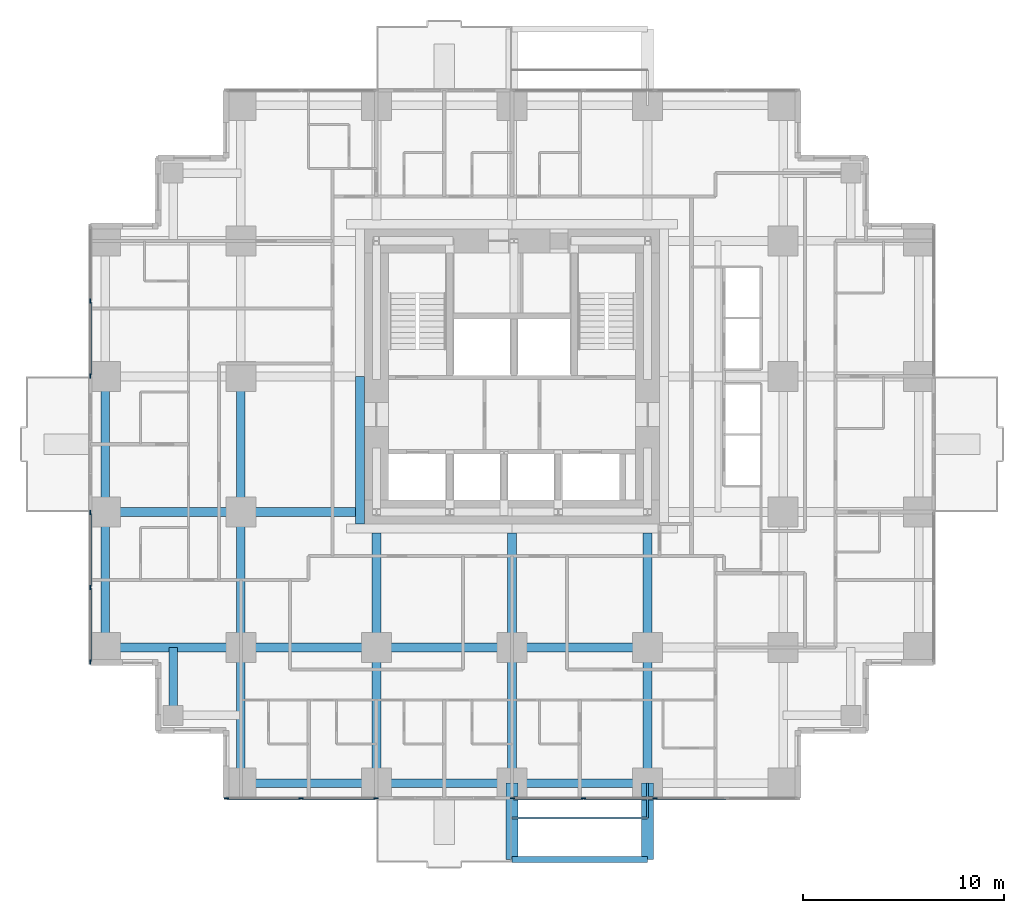
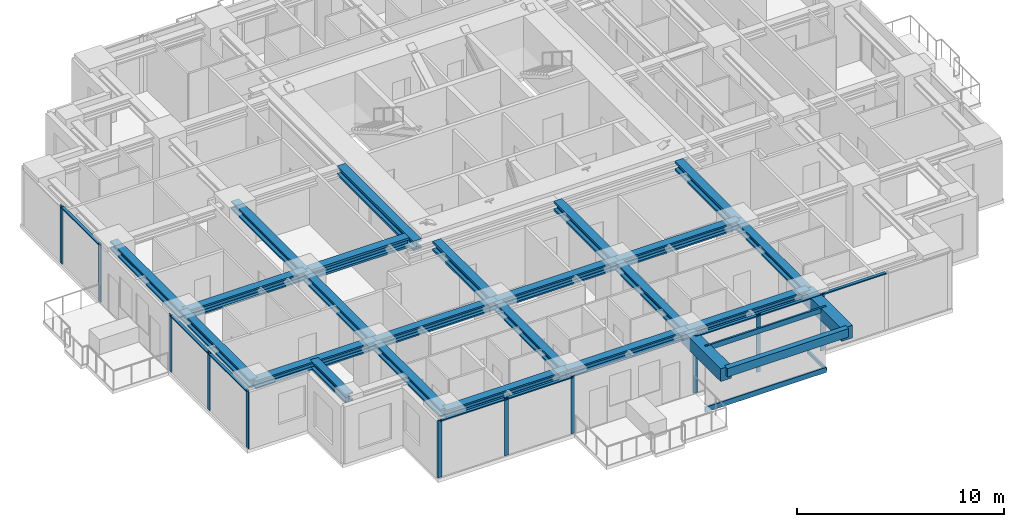
# One storey, part 2 of 13: 25 beams, 22 members, 4 elements without a shape of their own.
"""IFC4 building model written with IfcOpenShell, lengths in metres."""

import ifcopenshell
import ifcopenshell.guid

model = None  # the IFC model being written
_history = None  # IfcOwnerHistory: only IFC2X3 demands one
_inside = {}  # id of a spatial element -> (the spatial element, [elements in it])
_under = {}  # id of a project, library or spatial element -> (it, [spatial elements below it])
_declared = {}  # id of a project -> (the project, [libraries it declares])
_typed = {}  # id of a type object -> (the type object, [elements of that type])
_made_of = {}  # id of a material, layer set ... -> (it, [elements and type objects made of it])


def new_model(schema):
    """Start an empty IFC model of exactly this schema.

    Asked for "IFC4X3", IfcOpenShell would pick the latest addendum, in which some entities
    have other attributes; the version numbers below select the first issue.
    IFC2X3 requires an IfcOwnerHistory on every rooted entity: one is made here for all.
    """
    global model, _history
    if schema == "IFC4X3":
        model = ifcopenshell.file(schema_version=(4, 3, 0, 0))
    else:
        model = ifcopenshell.file(schema=schema)
    _inside.clear()
    _under.clear()
    _declared.clear()
    _typed.clear()
    _made_of.clear()
    _history = None
    if model.schema == "IFC2X3":
        org = make("IfcOrganization", Name="unknown")
        user = make(
            "IfcPersonAndOrganization",
            ThePerson=make("IfcPerson", FamilyName="unknown"),
            TheOrganization=org,
        )
        app = make(
            "IfcApplication",
            ApplicationDeveloper=org,
            Version="unknown",
            ApplicationFullName="unknown",
            ApplicationIdentifier="unknown",
        )
        _history = make(
            "IfcOwnerHistory",
            OwningUser=user,
            OwningApplication=app,
            ChangeAction="ADDED",
            CreationDate=0,
        )
    return model


def make(cls, **values):
    """One entity of the class cls with the attributes given. An attribute that is None is left unset."""
    return model.create_entity(
        cls, **{name: value for name, value in values.items() if value is not None}
    )


def rooted(cls, **values):
    """An entity with a GlobalId (a new one), such as an element, a storey or a relation."""
    return make(cls, GlobalId=ifcopenshell.guid.new(), OwnerHistory=_history, **values)


def si_unit(unit_type, name, prefix=None):
    """IfcSIUnit, for example si_unit("LENGTHUNIT", "METRE", prefix="MILLI")."""
    return make("IfcSIUnit", UnitType=unit_type, Prefix=prefix, Name=name)


def assignment(units):
    """IfcUnitAssignment: the units of a project."""
    return None if units is None else make("IfcUnitAssignment", Units=units)


def point(xyz):
    """IfcCartesianPoint."""
    return None if xyz is None else make("IfcCartesianPoint", Coordinates=xyz)


def direction(xyz):
    """IfcDirection."""
    return None if xyz is None else make("IfcDirection", DirectionRatios=xyz)


def frame(location, z_axis=None, x_axis=None):
    """IfcAxis2Placement3D, a coordinate frame: its origin and axes. An axis left out is left unset."""
    return make(
        "IfcAxis2Placement3D",
        Location=point(location),
        Axis=direction(z_axis),
        RefDirection=direction(x_axis),
    )


def frame_2d(location, x_axis=None):
    """IfcAxis2Placement2D, a coordinate frame in the plane: its origin and x axis."""
    return make(
        "IfcAxis2Placement2D", Location=point(location), RefDirection=direction(x_axis)
    )


def origin():
    """The frame at (0, 0, 0) with its axes left unset."""
    return frame((0.0, 0.0, 0.0))


def origin_2d():
    """The frame at (0, 0) in the plane with its x axis left unset."""
    return frame_2d((0.0, 0.0))


def place(relative_to, where):
    """IfcLocalPlacement: puts the frame where relative to a parent placement (None: the world)."""
    return make(
        "IfcLocalPlacement", PlacementRelTo=relative_to, RelativePlacement=where
    )


def context(
    kind, dimensions, precision=None, world=None, true_north=None, identifier=None
):
    """IfcGeometricRepresentationContext, for example the 3D "Model" context."""
    return make(
        "IfcGeometricRepresentationContext",
        ContextIdentifier=identifier,
        ContextType=kind,
        CoordinateSpaceDimension=dimensions,
        Precision=precision,
        WorldCoordinateSystem=world,
        TrueNorth=true_north,
    )


def subcontext(parent, identifier, kind, view, scale=None):
    """IfcGeometricRepresentationSubContext, for example "Body" below "Model"."""
    return make(
        "IfcGeometricRepresentationSubContext",
        ContextIdentifier=identifier,
        ContextType=kind,
        ParentContext=parent,
        TargetScale=scale,
        TargetView=view,
    )


def project(units=None, contexts=None):
    """IfcProject with its units and contexts."""
    return rooted(
        "IfcProject",
        Name="project",
        RepresentationContexts=contexts,
        UnitsInContext=assignment(units),
    )


def spatial(cls, under=None, at=None, **own):
    """A site, building, storey or space (cls), placed at a placement, below another one or the project."""
    s = rooted(cls, ObjectPlacement=at, **own)
    if under is not None:
        _under.setdefault(under.id(), (under, []))[1].append(s)
    return s


def profile(cls, at=None, kind="AREA", **sizes):
    """A parametric profile (cls). Its sizes go by their IFC names, for example OverallWidth=200.0."""
    return make(cls, ProfileType=kind, Position=at, **sizes)


def rectangle(**sizes):
    """IfcRectangleProfileDef."""
    return profile("IfcRectangleProfileDef", **sizes)


def hollow_rectangle(**sizes):
    """IfcRectangleHollowProfileDef."""
    return profile("IfcRectangleHollowProfileDef", **sizes)


def i_section(**sizes):
    """IfcIShapeProfileDef."""
    return profile("IfcIShapeProfileDef", **sizes)


def extrude(swept, where, along, depth):
    """IfcExtrudedAreaSolid: the profile swept, set in the frame where, extruded along a direction by depth."""
    return make(
        "IfcExtrudedAreaSolid",
        SweptArea=swept,
        Position=where,
        ExtrudedDirection=direction(along),
        Depth=depth,
    )


def shape(context_of_items, identifier, shape_type, items):
    """IfcShapeRepresentation: the items that make up one representation, for example the "Body"."""
    return make(
        "IfcShapeRepresentation",
        ContextOfItems=context_of_items,
        RepresentationIdentifier=identifier,
        RepresentationType=shape_type,
        Items=items,
    )


def material(Name=None, Category=None):
    """IfcMaterial."""
    return make("IfcMaterial", Name=Name, Category=Category)


def material_profile(
    of_material, cross_section, Name=None, Category=None, Priority=None
):
    """IfcMaterialProfile: a cross section and its material."""
    return make(
        "IfcMaterialProfile",
        Name=Name,
        Material=of_material,
        Profile=cross_section,
        Priority=Priority,
        Category=Category,
    )


def profile_set(profiles, Name=None, composite=None):
    """IfcMaterialProfileSet."""
    return make(
        "IfcMaterialProfileSet",
        Name=Name,
        MaterialProfiles=profiles,
        CompositeProfile=composite,
    )


def made_of(thing, what):
    """Note that an element or type object is made of a material, layer set ...; save() writes the relation."""
    if what is not None:
        _made_of.setdefault(what.id(), (what, []))[1].append(thing)
    return thing


def type_object(cls, material=None, **own):
    """A type object (cls), such as IfcWallType, which elements share."""
    return made_of(rooted(cls, **own), material)


def element(
    cls,
    number,
    at=None,
    inside=None,
    cuts=None,
    type_object=None,
    material=None,
    context=None,
    identifier="Body",
    shape_type=None,
    held_by="IfcProductDefinitionShape",
    body=None,
    shapes=None,
    **own,
):
    """One element of the class cls, such as IfcWall. Its Tag is "e" and its number.

    at: its placement. inside: the storey or other place that contains it. cuts: it is an
    opening in that element (IfcRelVoidsElement). A single representation is given by context,
    identifier, shape_type and body (its items); several are given by shapes. held_by: the class
    of the entity that holds the representations. save() writes the other relations.
    """
    e = rooted(cls, Tag="e%d" % number, ObjectPlacement=at, **own)
    if body is not None:
        shapes = [shape(context, identifier, shape_type, body)]
    if shapes is not None:
        e.Representation = make(held_by, Representations=shapes)
    if inside is not None:
        _inside.setdefault(inside.id(), (inside, []))[1].append(e)
    if cuts is not None:
        rooted(
            "IfcRelVoidsElement", RelatingBuildingElement=cuts, RelatedOpeningElement=e
        )
    if type_object is not None:
        _typed.setdefault(type_object.id(), (type_object, []))[1].append(e)
    return made_of(e, material)


def aggregate(whole, parts):
    """IfcRelAggregates: a whole, such as a stair, and the parts it consists of."""
    return rooted("IfcRelAggregates", RelatingObject=whole, RelatedObjects=parts)


def save(model, path):
    """Write the relations noted so far, then the file.

    IfcRelAggregates (storeys below a building ...), IfcRelContainedInSpatialStructure (elements
    in a storey), IfcRelDefinesByType, IfcRelAssociatesMaterial and IfcRelDeclares: one each for
    every whole, place, type object, material and project.
    """
    for whole, parts in _under.values():
        aggregate(whole, parts)
    for where, things in _inside.values():
        rooted(
            "IfcRelContainedInSpatialStructure",
            RelatedElements=things,
            RelatingStructure=where,
        )
    for kind, things in _typed.values():
        rooted("IfcRelDefinesByType", RelatedObjects=things, RelatingType=kind)
    for what, things in _made_of.values():
        rooted("IfcRelAssociatesMaterial", RelatedObjects=things, RelatingMaterial=what)
    for by, libraries in _declared.values():
        rooted("IfcRelDeclares", RelatingContext=by, RelatedDefinitions=libraries)
    model.write(path)


model = new_model("IFC4")

# Units and contexts
model_context = context("Model", 3, precision=1e-05, world=origin(), true_north=direction((0.0, 1.0)))
body_context = subcontext(model_context, "Body", "Model", "MODEL_VIEW")
ifc_project = project(units=[si_unit("LENGTHUNIT", "METRE"), si_unit("AREAUNIT", "SQUARE_METRE"), si_unit("VOLUMEUNIT", "CUBIC_METRE"), si_unit("PLANEANGLEUNIT", "RADIAN"), si_unit("MASSUNIT", "GRAM", prefix="KILO")], contexts=[model_context])

# Site, building, storey
site_placement = place(None, origin())
site = spatial("IfcSite", under=ifc_project, at=site_placement, CompositionType="ELEMENT")
building_placement = place(site_placement, origin())
building = spatial("IfcBuilding", under=site, at=building_placement, Name="Nyansa Garden Tower", CompositionType="ELEMENT")
storey_placement = place(building_placement, frame((0.0, 0.0, 116.10009765625)))
storey = spatial("IfcBuildingStorey", under=building, at=storey_placement, Name="L31", CompositionType="ELEMENT", Elevation=116.10009765625)

# Beams
ifc_material_1 = material(Name="Concrete C70/85", Category="concrete")
ifc_material_profile_1 = material_profile(ifc_material_1, rectangle(XDim=0.60009765625, YDim=0.75, at=origin_2d()), Name="RC 600x750")
ifc_profile_set_1 = profile_set([ifc_material_profile_1], Name="Concrete C70/85")
beam_type_1 = type_object("IfcBeamType", Name="Balcony cantilever beam CB1 RC 600x750", PredefinedType="BEAM", material=ifc_profile_set_1)
for number, where, z_axis, x_axis, name in (
    (1, (20.25, 0.0, 2.98486328125), (0.0, -1.0, 0.0), (1.0, 0.0, 0.0), "Balcony cantilever beam L32"),
    (2, (27.0, 0.0, 2.98486328125), (0.0, -1.0, 0.0), (1.0, 0.0, 0.0), "Balcony cantilever beam L32"),
):
    element("IfcBeam", number, at=place(storey_placement, frame(where, z_axis=z_axis, x_axis=x_axis)), inside=storey, type_object=beam_type_1, Name=name, PredefinedType="BEAM", context=body_context, shape_type="SweptSolid", body=[
        extrude(rectangle(XDim=0.60009765625, YDim=0.75, at=origin_2d()), origin(), (0.0, 0.0, 1.0), 3.800048828125),
    ])
ifc_material_2 = material(Name="Concrete C70/85", Category="concrete")
ifc_material_profile_2 = material_profile(ifc_material_2, rectangle(XDim=0.300048828125, YDim=0.5, at=origin_2d()), Name="RC 300x500")
ifc_profile_set_2 = profile_set([ifc_material_profile_2], Name="Concrete C70/85")
beam_type_2 = type_object("IfcBeamType", Name="Balcony edge beam BE1 RC 300x500", PredefinedType="BEAM", material=ifc_profile_set_2)
beam_1_placement = place(storey_placement, frame((20.25, -3.800048828125, 3.10986328125), z_axis=(1.0, 0.0, 0.0), x_axis=(0.0, 1.0, 0.0)))
element("IfcBeam", 3, at=beam_1_placement, inside=storey, type_object=beam_type_2, Name="Balcony edge beam L32", PredefinedType="BEAM", context=body_context, shape_type="SweptSolid", body=[
    extrude(rectangle(XDim=0.300048828125, YDim=0.5, at=origin_2d()), origin(), (0.0, 0.0, 1.0), 6.75),
])

# Curtain wall, members
ifc_material_3 = material(Name="Black anodised aluminium, dark tinted double glazing", Category="aluminium")
curtain_wall_type = type_object("IfcCurtainWallType", Name="Inner skin curtain wall ISW-B", PredefinedType="USERDEFINED", material=ifc_material_3)
curtain_wall_1_placement = place(storey_placement, origin())
curtain_wall_1 = element("IfcCurtainWall", 4, at=curtain_wall_1_placement, inside=storey, type_object=curtain_wall_type, Name="Inner skin curtain wall L31 W", ObjectType="UNITISED CURTAIN WALL", PredefinedType="USERDEFINED")
ifc_material_4 = material(Name="Black anodised aluminium", Category="aluminium")
ifc_material_profile_3 = material_profile(ifc_material_4, rectangle(XDim=0.06494140625, YDim=0.22509765625, at=origin_2d()), Name="Mullion 225x65")
ifc_profile_set_3 = profile_set([ifc_material_profile_3], Name="Black anodised aluminium")
member_type_1 = type_object("IfcMemberType", Name="Mullion ISW-B 225x65", PredefinedType="MULLION", material=ifc_profile_set_3)
member_1_placement = place(storey_placement, frame((-0.75, 13.467529296875, 0.0), z_axis=(0.0, 0.0, 1.0), x_axis=(1.0, 0.0, 0.0)))
member_1 = element("IfcMember", 5, at=member_1_placement, type_object=member_type_1, Name="ISW-B mullion 1", PredefinedType="MULLION", context=body_context, shape_type="SweptSolid", body=[
    extrude(rectangle(XDim=0.06494140625, YDim=0.22509765625, at=origin_2d()), origin(), (0.0, 0.0, 1.0), 3.375),
])
member_2_placement = place(storey_placement, frame((-0.75, 9.75, 0.0), z_axis=(0.0, 0.0, 1.0), x_axis=(1.0, 0.0, 0.0)))
member_2 = element("IfcMember", 6, at=member_2_placement, type_object=member_type_1, Name="ISW-B mullion 2", PredefinedType="MULLION", context=body_context, shape_type="SweptSolid", body=[
    extrude(rectangle(XDim=0.06494140625, YDim=0.22509765625, at=origin_2d()), origin(), (0.0, 0.0, 1.0), 3.375),
])
member_3_placement = place(storey_placement, frame((-0.75, 6.032470703125, 0.0), z_axis=(0.0, 0.0, 1.0), x_axis=(1.0, 0.0, 0.0)))
member_3 = element("IfcMember", 7, at=member_3_placement, type_object=member_type_1, Name="ISW-B mullion 3", PredefinedType="MULLION", context=body_context, shape_type="SweptSolid", body=[
    extrude(rectangle(XDim=0.06494140625, YDim=0.22509765625, at=origin_2d()), origin(), (0.0, 0.0, 1.0), 3.375),
])

curtain_wall_2_placement = place(storey_placement, origin())
curtain_wall_2 = element("IfcCurtainWall", 8, at=curtain_wall_2_placement, inside=storey, type_object=curtain_wall_type, Name="Inner skin curtain wall L31 W", ObjectType="UNITISED CURTAIN WALL", PredefinedType="USERDEFINED")
member_4_placement = place(storey_placement, frame((-0.75, 24.0, 0.0), z_axis=(0.0, 0.0, 1.0), x_axis=(1.0, 0.0, 0.0)))
member_4 = element("IfcMember", 9, at=member_4_placement, type_object=member_type_1, Name="ISW-B mullion 2", PredefinedType="MULLION", context=body_context, shape_type="SweptSolid", body=[
    extrude(rectangle(XDim=0.06494140625, YDim=0.22509765625, at=origin_2d()), origin(), (0.0, 0.0, 1.0), 3.375),
])
member_5_placement = place(storey_placement, frame((-0.75, 20.282470703125, 0.0), z_axis=(0.0, 0.0, 1.0), x_axis=(1.0, 0.0, 0.0)))
member_5 = element("IfcMember", 10, at=member_5_placement, type_object=member_type_1, Name="ISW-B mullion 3", PredefinedType="MULLION", context=body_context, shape_type="SweptSolid", body=[
    extrude(rectangle(XDim=0.06494140625, YDim=0.22509765625, at=origin_2d()), origin(), (0.0, 0.0, 1.0), 3.375),
])

curtain_wall_3_placement = place(storey_placement, origin())
curtain_wall_3 = element("IfcCurtainWall", 11, at=curtain_wall_3_placement, inside=storey, type_object=curtain_wall_type, Name="Inner skin curtain wall L31 S", ObjectType="UNITISED CURTAIN WALL", PredefinedType="USERDEFINED")
member_6_placement = place(storey_placement, frame((6.032470703125, -0.75, 0.0), z_axis=(0.0, 0.0, 1.0), x_axis=(0.0, 1.0, 0.0)))
member_6 = element("IfcMember", 12, at=member_6_placement, type_object=member_type_1, Name="ISW-B mullion 1", PredefinedType="MULLION", context=body_context, shape_type="SweptSolid", body=[
    extrude(rectangle(XDim=0.06494140625, YDim=0.22509765625, at=origin_2d()), origin(), (0.0, 0.0, 1.0), 3.375),
])
member_7_placement = place(storey_placement, frame((9.75, -0.75, 0.0), z_axis=(0.0, 0.0, 1.0), x_axis=(0.0, 1.0, 0.0)))
member_7 = element("IfcMember", 13, at=member_7_placement, type_object=member_type_1, Name="ISW-B mullion 2", PredefinedType="MULLION", context=body_context, shape_type="SweptSolid", body=[
    extrude(rectangle(XDim=0.06494140625, YDim=0.22509765625, at=origin_2d()), origin(), (0.0, 0.0, 1.0), 3.375),
])
member_8_placement = place(storey_placement, frame((13.467529296875, -0.75, 0.0), z_axis=(0.0, 0.0, 1.0), x_axis=(0.0, 1.0, 0.0)))
member_8 = element("IfcMember", 14, at=member_8_placement, type_object=member_type_1, Name="ISW-B mullion 3", PredefinedType="MULLION", context=body_context, shape_type="SweptSolid", body=[
    extrude(rectangle(XDim=0.06494140625, YDim=0.22509765625, at=origin_2d()), origin(), (0.0, 0.0, 1.0), 3.375),
])

curtain_wall_4_placement = place(storey_placement, origin())
curtain_wall_4 = element("IfcCurtainWall", 15, at=curtain_wall_4_placement, inside=storey, type_object=curtain_wall_type, Name="Inner skin curtain wall L31 S", ObjectType="UNITISED CURTAIN WALL", PredefinedType="USERDEFINED")
member_9_placement = place(storey_placement, frame((20.282470703125, -0.75, 0.0), z_axis=(0.0, 0.0, 1.0), x_axis=(0.0, 1.0, 0.0)))
member_9 = element("IfcMember", 16, at=member_9_placement, type_object=member_type_1, Name="ISW-B mullion 1", PredefinedType="MULLION", context=body_context, shape_type="SweptSolid", body=[
    extrude(rectangle(XDim=0.06494140625, YDim=0.22509765625, at=origin_2d()), origin(), (0.0, 0.0, 1.0), 3.375),
])
member_10_placement = place(storey_placement, frame((23.8125, -0.75, 0.0), z_axis=(0.0, 0.0, 1.0), x_axis=(0.0, 1.0, 0.0)))
member_10 = element("IfcMember", 17, at=member_10_placement, type_object=member_type_1, Name="ISW-B mullion 2", PredefinedType="MULLION", context=body_context, shape_type="SweptSolid", body=[
    extrude(rectangle(XDim=0.06494140625, YDim=0.22509765625, at=origin_2d()), origin(), (0.0, 0.0, 1.0), 3.375),
])
member_11_placement = place(storey_placement, frame((27.375, -0.75, 0.0), z_axis=(0.0, 0.0, 1.0), x_axis=(0.0, 1.0, 0.0)))
member_11 = element("IfcMember", 18, at=member_11_placement, type_object=member_type_1, Name="ISW-B mullion 3", PredefinedType="MULLION", context=body_context, shape_type="SweptSolid", body=[
    extrude(rectangle(XDim=0.06494140625, YDim=0.22509765625, at=origin_2d()), origin(), (0.0, 0.0, 1.0), 3.375),
])

# Members
ifc_material_5 = material(Name="Steel S355, black powder coated", Category="steel")
ifc_material_profile_4 = material_profile(ifc_material_5, hollow_rectangle(XDim=0.10009765625, YDim=0.199951171875, WallThickness=0.008056640625, at=origin_2d()), Name="RHS 200x100x8")
ifc_profile_set_4 = profile_set([ifc_material_profile_4], Name="Steel S355, black powder coated")
member_type_2 = type_object("IfcMemberType", Name="Outer skin bracket arm RHS 200x100x8", PredefinedType="USERDEFINED", material=ifc_profile_set_4)
member_12_placement = place(storey_placement, frame((27.0, 0.0, -0.375), z_axis=(0.0, -1.0, 0.0), x_axis=(1.0, 0.0, 0.0)))
element("IfcMember", 19, at=member_12_placement, inside=storey, type_object=member_type_2, Name="Outer skin bracket arm", ObjectType="OUTER SKIN BRACKET", PredefinedType="USERDEFINED", context=body_context, shape_type="SweptSolid", body=[
    extrude(hollow_rectangle(XDim=0.10009765625, YDim=0.199951171875, WallThickness=0.008056640625, at=origin_2d()), origin(), (0.0, 0.0, 1.0), 1.75),
])
ifc_material_6 = material(Name="Steel S355, black powder coated", Category="steel")
ifc_material_profile_5 = material_profile(ifc_material_6, hollow_rectangle(XDim=0.10009765625, YDim=0.300048828125, WallThickness=0.010009765625, at=origin_2d()), Name="RHS 300x100x10")
ifc_profile_set_5 = profile_set([ifc_material_profile_5], Name="Steel S355, black powder coated")
member_type_3 = type_object("IfcMemberType", Name="Outer skin rail RHS 300x100x10", PredefinedType="USERDEFINED", material=ifc_profile_set_5)
for number, where, z_axis, x_axis, name in (
    (20, (20.25, -1.75, -0.375), (1.0, 0.0, 0.0), (0.0, 1.0, 0.0), "Outer skin rail L31"),
    (21, (20.25, -1.75, 3.224853515625), (1.0, 0.0, 0.0), (0.0, 1.0, 0.0), "Outer skin rail L31 head"),
):
    element("IfcMember", number, at=place(storey_placement, frame(where, z_axis=z_axis, x_axis=x_axis)), inside=storey, type_object=member_type_3, Name=name, ObjectType="OUTER SKIN RAIL", PredefinedType="USERDEFINED", context=body_context, shape_type="SweptSolid", body=[
        extrude(hollow_rectangle(XDim=0.10009765625, YDim=0.300048828125, WallThickness=0.010009765625, at=origin_2d()), origin(), (0.0, 0.0, 1.0), 6.75),
    ])

# Beams
ifc_material_7 = material(Name="Steel S355", Category="steel")
ifc_material_profile_6 = material_profile(ifc_material_7, i_section(OverallWidth=0.431884765625, OverallDepth=0.498046875, WebThickness=0.0556640625, FlangeThickness=0.0888671875, FilletRadius=0.014892578125, at=origin_2d()), Name="HD 400x744")
ifc_profile_set_6 = profile_set([ifc_material_profile_6], Name="Steel S355")
beam_type_3 = type_object("IfcBeamType", Name="Steel beam SBB1-744 HD 400x744", PredefinedType="BEAM", material=ifc_profile_set_6)
for number, where, z_axis, x_axis, name in (
    (22, (0.0, 6.75, 3.1259765625), (1.0, 0.0, 0.0), (0.0, 1.0, 0.0), "Steel beam 2/E-3/E L32"),
    (23, (0.0, 13.5, 3.1259765625), (1.0, 0.0, 0.0), (0.0, 1.0, 0.0), "Steel beam 2/F-3/F L32"),
    (24, (6.75, 0.0, 3.1259765625), (0.0, 1.0, 0.0), (-1.0, 0.0, 0.0), "Steel beam 3/D-3/E L32"),
    (25, (6.75, 6.75, 3.1259765625), (0.0, 1.0, 0.0), (-1.0, 0.0, 0.0), "Steel beam 3/E-3/F L32"),
    (26, (6.75, 6.75, 3.1259765625), (1.0, 0.0, 0.0), (0.0, 1.0, 0.0), "Steel beam 3/E-4/E L32"),
    (27, (6.75, 13.5, 3.1259765625), (0.0, 1.0, 0.0), (-1.0, 0.0, 0.0), "Steel beam 3/F-3/G L32"),
    (28, (13.5, 0.0, 3.1259765625), (0.0, 1.0, 0.0), (-1.0, 0.0, 0.0), "Steel beam 4/D-4/E L32"),
    (29, (13.5, 6.75, 3.1259765625), (1.0, 0.0, 0.0), (0.0, 1.0, 0.0), "Steel beam 4/E-5/E L32"),
    (30, (20.25, 0.0, 3.1259765625), (0.0, 1.0, 0.0), (-1.0, 0.0, 0.0), "Steel beam 5/D-5/E L32"),
    (31, (20.25, 6.75, 3.1259765625), (1.0, 0.0, 0.0), (0.0, 1.0, 0.0), "Steel beam 5/E-6/E L32"),
    (32, (27.0, 0.0, 3.1259765625), (0.0, 1.0, 0.0), (-1.0, 0.0, 0.0), "Steel beam 6/D-6/E L32"),
):
    element("IfcBeam", number, at=place(storey_placement, frame(where, z_axis=z_axis, x_axis=x_axis)), inside=storey, type_object=beam_type_3, Name=name, PredefinedType="BEAM", context=body_context, shape_type="SweptSolid", body=[
        extrude(i_section(OverallWidth=0.431884765625, OverallDepth=0.498046875, WebThickness=0.0556640625, FlangeThickness=0.0888671875, FilletRadius=0.014892578125, at=origin_2d()), origin(), (0.0, 0.0, 1.0), 6.75),
    ])
ifc_material_8 = material(Name="Steel S355", Category="steel")
ifc_material_profile_7 = material_profile(ifc_material_8, i_section(OverallWidth=0.4541015625, OverallDepth=0.569091796875, WebThickness=0.077880859375, FlangeThickness=0.125, FilletRadius=0.014892578125, at=origin_2d()), Name="HD 400x1086")
ifc_profile_set_7 = profile_set([ifc_material_profile_7], Name="Steel S355")
beam_type_4 = type_object("IfcBeamType", Name="Steel beam SCL-1086 HD 400x1086", PredefinedType="BEAM", material=ifc_profile_set_7)
for number, where, z_axis, x_axis, name in (
    (33, (6.75, 13.5, 3.09033203125), (1.0, 0.0, 0.0), (0.0, 1.0, 0.0), "Steel beam 3/F-12.450/F L32"),
    (34, (13.5, 6.75, 3.09033203125), (0.0, 1.0, 0.0), (-1.0, 0.0, 0.0), "Steel beam 4/E-4/12.450 L32"),
    (35, (20.25, 6.75, 3.09033203125), (0.0, 1.0, 0.0), (-1.0, 0.0, 0.0), "Steel beam 5/E-5/12.450 L32"),
    (36, (27.0, 6.75, 3.09033203125), (0.0, 1.0, 0.0), (-1.0, 0.0, 0.0), "Steel beam 6/E-6/12.450 L32"),
):
    element("IfcBeam", number, at=place(storey_placement, frame(where, z_axis=z_axis, x_axis=x_axis)), inside=storey, type_object=beam_type_4, Name=name, PredefinedType="BEAM", context=body_context, shape_type="SweptSolid", body=[
        extrude(i_section(OverallWidth=0.4541015625, OverallDepth=0.569091796875, WebThickness=0.077880859375, FlangeThickness=0.125, FilletRadius=0.014892578125, at=origin_2d()), origin(), (0.0, 0.0, 1.0), 5.699951171875),
    ])
beam_2_placement = place(storey_placement, frame((12.673095703125, 20.25, 3.09033203125), z_axis=(0.0, -1.0, 0.0), x_axis=(1.0, 0.0, 0.0)))
element("IfcBeam", 37, at=beam_2_placement, inside=storey, type_object=beam_type_4, Name="Steel core ledger beam W.2 L32", PredefinedType="BEAM", context=body_context, shape_type="SweptSolid", body=[
    extrude(i_section(OverallWidth=0.4541015625, OverallDepth=0.569091796875, WebThickness=0.077880859375, FlangeThickness=0.125, FilletRadius=0.014892578125, at=origin_2d()), origin(), (0.0, 0.0, 1.0), 7.35009765625),
])
ifc_material_9 = material(Name="Steel S355", Category="steel")
ifc_material_profile_8 = material_profile(ifc_material_9, i_section(OverallWidth=0.431884765625, OverallDepth=0.498046875, WebThickness=0.0556640625, FlangeThickness=0.0888671875, FilletRadius=0.014892578125, at=origin_2d()), Name="HD 400x744")
ifc_profile_set_8 = profile_set([ifc_material_profile_8], Name="Steel S355")
beam_type_5 = type_object("IfcBeamType", Name="Steel beam SEBB-744 HD 400x744", PredefinedType="BEAM", material=ifc_profile_set_8)
for number, where, z_axis, x_axis, name in (
    (38, (0.0, 6.75, 3.1259765625), (0.0, 1.0, 0.0), (-1.0, 0.0, 0.0), "Steel edge beam 2/E-2/F L32"),
    (39, (0.0, 13.5, 3.1259765625), (0.0, 1.0, 0.0), (-1.0, 0.0, 0.0), "Steel edge beam 2/F-2/G L32"),
    (40, (6.75, 0.0, 3.1259765625), (1.0, 0.0, 0.0), (0.0, 1.0, 0.0), "Steel edge beam 3/D-4/D L32"),
    (41, (13.5, 0.0, 3.1259765625), (1.0, 0.0, 0.0), (0.0, 1.0, 0.0), "Steel edge beam 4/D-5/D L32"),
    (42, (20.25, 0.0, 3.1259765625), (1.0, 0.0, 0.0), (0.0, 1.0, 0.0), "Steel edge beam 5/D-6/D L32"),
):
    element("IfcBeam", number, at=place(storey_placement, frame(where, z_axis=z_axis, x_axis=x_axis)), inside=storey, type_object=beam_type_5, Name=name, PredefinedType="BEAM", context=body_context, shape_type="SweptSolid", body=[
        extrude(i_section(OverallWidth=0.431884765625, OverallDepth=0.498046875, WebThickness=0.0556640625, FlangeThickness=0.0888671875, FilletRadius=0.014892578125, at=origin_2d()), origin(), (0.0, 0.0, 1.0), 6.75),
    ])
ifc_material_10 = material(Name="Steel S355", Category="steel")
ifc_material_profile_9 = material_profile(ifc_material_10, i_section(OverallWidth=0.431884765625, OverallDepth=0.498046875, WebThickness=0.0556640625, FlangeThickness=0.0888671875, FilletRadius=0.014892578125, at=origin_2d()), Name="HD 400x744")
ifc_profile_set_9 = profile_set([ifc_material_profile_9], Name="Steel S355")
beam_type_6 = type_object("IfcBeamType", Name="Steel beam SSB1-744 HD 400x744", PredefinedType="BEAM", material=ifc_profile_set_9)
beam_3_placement = place(storey_placement, frame((3.375, 3.375, 3.1259765625), z_axis=(0.0, 1.0, 0.0), x_axis=(-1.0, 0.0, 0.0)))
element("IfcBeam", 43, at=beam_3_placement, inside=storey, type_object=beam_type_6, Name="Steel step beam 3.375/3.375 L32", PredefinedType="BEAM", context=body_context, shape_type="SweptSolid", body=[
    extrude(i_section(OverallWidth=0.431884765625, OverallDepth=0.498046875, WebThickness=0.0556640625, FlangeThickness=0.0888671875, FilletRadius=0.014892578125, at=origin_2d()), origin(), (0.0, 0.0, 1.0), 3.375),
])

# Member
ifc_material_11 = material(Name="Black anodised aluminium", Category="aluminium")
ifc_material_profile_10 = material_profile(ifc_material_11, rectangle(XDim=0.1650390625, YDim=0.06494140625, at=origin_2d()), Name="Transom 165x65")
ifc_profile_set_10 = profile_set([ifc_material_profile_10], Name="Black anodised aluminium")
member_type_4 = type_object("IfcMemberType", Name="Transom ISW-B 165x65", PredefinedType="USERDEFINED", material=ifc_profile_set_10)
member_13_placement = place(storey_placement, frame((-0.75, 13.43505859375, 3.34228515625), z_axis=(0.0, -1.0, 0.0), x_axis=(1.0, 0.0, 0.0)))
member_13 = element("IfcMember", 44, at=member_13_placement, type_object=member_type_4, Name="ISW-B transom 1", ObjectType="TRANSOM", PredefinedType="USERDEFINED", context=body_context, shape_type="SweptSolid", body=[
    extrude(rectangle(XDim=0.1650390625, YDim=0.06494140625, at=origin_2d()), origin(), (0.0, 0.0, 1.0), 3.652587890625),
])

member_14_placement = place(storey_placement, frame((-0.75, 9.717529296875, 3.34228515625), z_axis=(0.0, -1.0, 0.0), x_axis=(1.0, 0.0, 0.0)))
member_14 = element("IfcMember", 45, at=member_14_placement, type_object=member_type_4, Name="ISW-B transom 2", ObjectType="TRANSOM", PredefinedType="USERDEFINED", context=body_context, shape_type="SweptSolid", body=[
    extrude(rectangle(XDim=0.1650390625, YDim=0.06494140625, at=origin_2d()), origin(), (0.0, 0.0, 1.0), 3.652587890625),
])

aggregate(curtain_wall_1, [member_1, member_2, member_3, member_13, member_14])

member_15_placement = place(storey_placement, frame((-0.75, 23.967529296875, 3.34228515625), z_axis=(0.0, -1.0, 0.0), x_axis=(1.0, 0.0, 0.0)))
member_15 = element("IfcMember", 46, at=member_15_placement, type_object=member_type_4, Name="ISW-B transom 2", ObjectType="TRANSOM", PredefinedType="USERDEFINED", context=body_context, shape_type="SweptSolid", body=[
    extrude(rectangle(XDim=0.1650390625, YDim=0.06494140625, at=origin_2d()), origin(), (0.0, 0.0, 1.0), 3.652587890625),
])

aggregate(curtain_wall_2, [member_4, member_5, member_15])

member_16_placement = place(storey_placement, frame((6.06494140625, -0.75, 3.34228515625), z_axis=(1.0, 0.0, 0.0), x_axis=(0.0, 1.0, 0.0)))
member_16 = element("IfcMember", 47, at=member_16_placement, type_object=member_type_4, Name="ISW-B transom 1", ObjectType="TRANSOM", PredefinedType="USERDEFINED", context=body_context, shape_type="SweptSolid", body=[
    extrude(rectangle(XDim=0.1650390625, YDim=0.06494140625, at=origin_2d()), origin(), (0.0, 0.0, 1.0), 3.652587890625),
])

member_17_placement = place(storey_placement, frame((9.782470703125, -0.75, 3.34228515625), z_axis=(1.0, 0.0, 0.0), x_axis=(0.0, 1.0, 0.0)))
member_17 = element("IfcMember", 48, at=member_17_placement, type_object=member_type_4, Name="ISW-B transom 2", ObjectType="TRANSOM", PredefinedType="USERDEFINED", context=body_context, shape_type="SweptSolid", body=[
    extrude(rectangle(XDim=0.1650390625, YDim=0.06494140625, at=origin_2d()), origin(), (0.0, 0.0, 1.0), 3.652587890625),
])

aggregate(curtain_wall_3, [member_6, member_7, member_8, member_16, member_17])

member_18_placement = place(storey_placement, frame((20.31494140625, -0.75, 3.34228515625), z_axis=(1.0, 0.0, 0.0), x_axis=(0.0, 1.0, 0.0)))
member_18 = element("IfcMember", 49, at=member_18_placement, type_object=member_type_4, Name="ISW-B transom 1", ObjectType="TRANSOM", PredefinedType="USERDEFINED", context=body_context, shape_type="SweptSolid", body=[
    extrude(rectangle(XDim=0.1650390625, YDim=0.06494140625, at=origin_2d()), origin(), (0.0, 0.0, 1.0), 3.465087890625),
])

member_19_placement = place(storey_placement, frame((23.844970703125, -0.75, 3.34228515625), z_axis=(1.0, 0.0, 0.0), x_axis=(0.0, 1.0, 0.0)))
member_19 = element("IfcMember", 50, at=member_19_placement, type_object=member_type_4, Name="ISW-B transom 2", ObjectType="TRANSOM", PredefinedType="USERDEFINED", context=body_context, shape_type="SweptSolid", body=[
    extrude(rectangle(XDim=0.1650390625, YDim=0.06494140625, at=origin_2d()), origin(), (0.0, 0.0, 1.0), 3.49755859375),
])

member_20_placement = place(storey_placement, frame((27.407470703125, -0.75, 3.34228515625), z_axis=(1.0, 0.0, 0.0), x_axis=(0.0, 1.0, 0.0)))
member_20 = element("IfcMember", 51, at=member_20_placement, type_object=member_type_4, Name="ISW-B transom 3", ObjectType="TRANSOM", PredefinedType="USERDEFINED", context=body_context, shape_type="SweptSolid", body=[
    extrude(rectangle(XDim=0.1650390625, YDim=0.06494140625, at=origin_2d()), origin(), (0.0, 0.0, 1.0), 3.49755859375),
])

aggregate(curtain_wall_4, [member_9, member_10, member_11, member_18, member_19, member_20])

save(model, "model.ifc")
